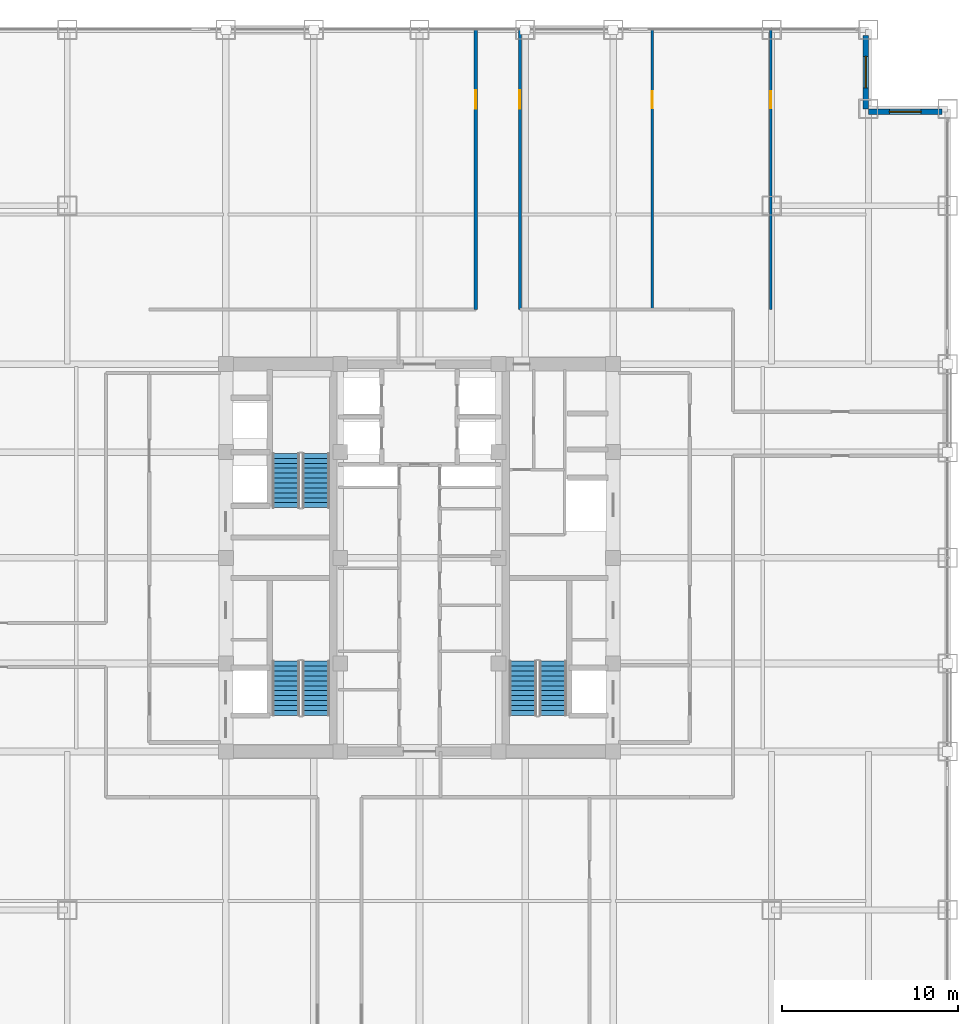
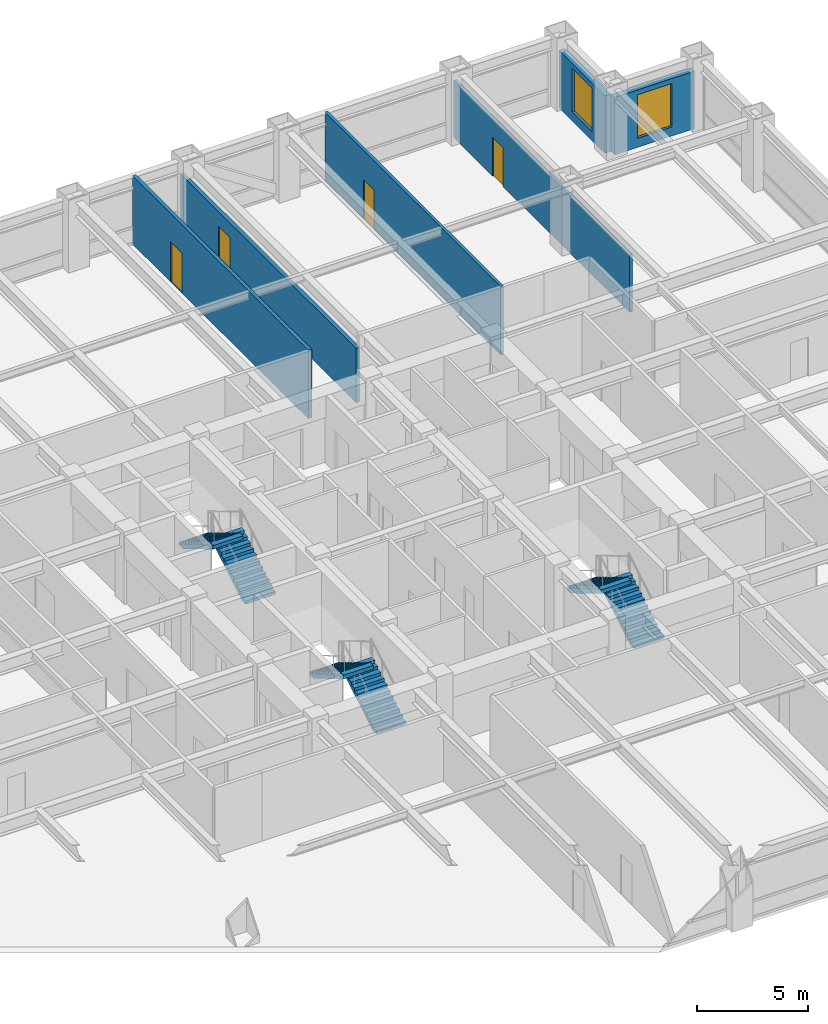
# One storey, part 23 of 24: 6 stair flights, 6 walls, 4 doors, 2 windows, 6 openings, 3 elements without a shape of their own.
"""IFC4 building model written with IfcOpenShell, lengths in metres."""

from ifc_helpers import new_model, si_unit, direction, frame, frame_2d, origin, place, context, subcontext, project, spatial, polyline, rectangle, outline, extrude, source, transform, mapped, material, layer, layer_set, type_object, element, fill, aggregate, save


model = new_model("IFC4")

# Units and contexts
model_context = context("Model", 3, precision=1e-05, world=origin(), true_north=direction((0.0, 1.0)))
body_context = subcontext(model_context, "Body", "Model", "MODEL_VIEW")
ifc_project = project(units=[si_unit("LENGTHUNIT", "METRE"), si_unit("AREAUNIT", "SQUARE_METRE"), si_unit("VOLUMEUNIT", "CUBIC_METRE"), si_unit("PLANEANGLEUNIT", "RADIAN"), si_unit("MASSUNIT", "GRAM", prefix="KILO")], contexts=[model_context])

# Site, building, storey
site_placement = place(None, origin())
site = spatial("IfcSite", under=ifc_project, at=site_placement, CompositionType="ELEMENT")
building_placement = place(site_placement, origin())
building = spatial("IfcBuilding", under=site, at=building_placement, Name="Khorayat Bourse Tower", CompositionType="ELEMENT")
storey_placement = place(building_placement, frame((0.0, 0.0, 159.10009765625)))
storey = spatial("IfcBuildingStorey", under=building, at=storey_placement, Name="L36", CompositionType="ELEMENT", Elevation=159.10009765625)

# Wall, opening, window
ifc_material_1 = material(Name="Precast concrete C45/55", Category="concrete")
ifc_layer_1 = layer(ifc_material_1, 0.320068359375)
ifc_layer_set_1 = layer_set([ifc_layer_1], Name="Precast concrete C45/55")
wall_type_1 = type_object("IfcWallType", Name="WAL-EXT-STONE-320", PredefinedType="STANDARD", material=ifc_layer_set_1)
shared_shape_1 = source(origin(), body_context, "Body", "SweptSolid", [
    extrude(rectangle(XDim=4.179931640625, YDim=0.320068359375, at=frame_2d((2.08984375, 0.0))), origin(), (0.0, 0.0, 1.0), 3.163818359375),
])
wall_1_placement = place(storey_placement, frame((25.5, 25.340087890625, 0.0), z_axis=(0.0, 0.0, 1.0), x_axis=(1.0, 0.0, 0.0)))
wall_1 = element("IfcWall", 1, at=wall_1_placement, inside=storey, type_object=wall_type_1, Name="L36 Re-Entrant Notch Limestone Wall NE-H", PredefinedType="STANDARD", context=body_context, shape_type="MappedRepresentation", body=[
    mapped(shared_shape_1, transform((0.0, 0.0, 0.0), scale=1.0)),
])
shared_shape_2 = source(origin(), body_context, "Body", "SweptSolid", [
    extrude(rectangle(XDim=1.800048828125, YDim=2.39990234375, at=frame_2d((0.89990234375, 1.199951171875))), frame((0.0, 0.169921875, 0.0), z_axis=(0.0, -1.0, 0.0), x_axis=(1.0, 0.0, 0.0)), (0.0, 0.0, 1.0), 0.340087890625),
])
opening_1_placement = place(wall_1_placement, frame((1.18994140625, 0.0, 0.5)))
opening_1 = element("IfcOpeningElement", 2, at=opening_1_placement, cuts=wall_1, Name="Opening WN-04", PredefinedType="OPENING", context=body_context, shape_type="MappedRepresentation", body=[
    mapped(shared_shape_2, transform((0.0, 0.0, 0.0), scale=1.0)),
])
ifc_material_2 = material(Name="Low-E acoustic laminated double glazing", Category="glass")
window_type = type_object("IfcWindowType", Name="WIN-NOTCH-1800x2400", PartitioningType="SINGLE_PANEL", PredefinedType="WINDOW", material=ifc_material_2)
shared_shape_3 = source(origin(), body_context, "Body", "SweptSolid", [
    extrude(rectangle(XDim=1.800048828125, YDim=2.39990234375, at=frame_2d((0.89990234375, 1.199951171875))), frame((0.0, 0.030029296875, 0.0), z_axis=(0.0, -1.0, 0.0), x_axis=(1.0, 0.0, 0.0)), (0.0, 0.0, 1.0), 0.06005859375),
])
window_1_placement = place(opening_1_placement, origin())
window_1 = element("IfcWindow", 3, at=window_1_placement, inside=storey, type_object=window_type, Name="L36 Facade Window 1", OverallHeight=2.39990234375, OverallWidth=1.800048828125, PartitioningType="SINGLE_PANEL", PredefinedType="WINDOW", context=body_context, shape_type="MappedRepresentation", body=[
    mapped(shared_shape_3, transform((0.0, 0.0, 0.0), scale=1.0)),
])
fill(opening_1, window_1)

wall_2_placement = place(storey_placement, frame((25.340087890625, 25.5, 0.0), z_axis=(0.0, 0.0, 1.0), x_axis=(0.0, 1.0, 0.0)))
wall_2 = element("IfcWall", 4, at=wall_2_placement, inside=storey, type_object=wall_type_1, Name="L36 Re-Entrant Notch Limestone Wall NE-V", PredefinedType="STANDARD", context=body_context, shape_type="MappedRepresentation", body=[
    mapped(shared_shape_1, transform((0.0, 0.0, 0.0), scale=1.0)),
])
opening_2_placement = place(wall_2_placement, frame((1.18994140625, 0.0, 0.5)))
opening_2 = element("IfcOpeningElement", 5, at=opening_2_placement, cuts=wall_2, Name="Opening WN-04", PredefinedType="OPENING", context=body_context, shape_type="MappedRepresentation", body=[
    mapped(shared_shape_2, transform((0.0, 0.0, 0.0), scale=1.0)),
])
window_2_placement = place(opening_2_placement, origin())
window_2 = element("IfcWindow", 6, at=window_2_placement, inside=storey, type_object=window_type, Name="L36 Facade Window 1", OverallHeight=2.39990234375, OverallWidth=1.800048828125, PartitioningType="SINGLE_PANEL", PredefinedType="WINDOW", context=body_context, shape_type="MappedRepresentation", body=[
    mapped(shared_shape_3, transform((0.0, 0.0, 0.0), scale=1.0)),
])
fill(opening_2, window_2)

# Wall, opening, door
ifc_material_3 = material(Name="Gypsum plasterboard acoustic stud wall")
ifc_layer_2 = layer(ifc_material_3, 0.179931640625)
ifc_layer_set_2 = layer_set([ifc_layer_2], Name="Gypsum plasterboard acoustic stud wall")
wall_type_2 = type_object("IfcWallType", Name="WAL-PART-CORR-180", PredefinedType="PARTITIONING", material=ifc_layer_set_2)
shared_shape_4 = source(origin(), body_context, "Body", "SweptSolid", [
    extrude(rectangle(XDim=15.89990234375, YDim=0.179931640625, at=frame_2d((7.949951171875, 0.0))), origin(), (0.0, 0.0, 1.0), 3.77978515625),
])
wall_3_placement = place(storey_placement, frame((3.199951171875, 14.10009765625, 0.0), z_axis=(0.0, 0.0, 1.0), x_axis=(0.0, 1.0, 0.0)))
wall_3 = element("IfcWall", 7, at=wall_3_placement, inside=storey, type_object=wall_type_2, Name="L36 Partition WAL-L36-QNW-SPK", PredefinedType="PARTITIONING", context=body_context, shape_type="MappedRepresentation", body=[
    mapped(shared_shape_4, transform((0.0, 0.0, 0.0), scale=1.0)),
])
shared_shape_5 = source(origin(), body_context, "Body", "SweptSolid", [
    extrude(rectangle(XDim=1.050048828125, YDim=2.199951171875, at=frame_2d((0.52490234375, 1.10009765625))), frame((0.0, 0.099853515625, 0.0), z_axis=(0.0, -1.0, 0.0), x_axis=(1.0, 0.0, 0.0)), (0.0, 0.0, 1.0), 0.199951171875),
])
opening_3_placement = place(wall_3_placement, frame((11.39990234375, 0.0, 0.0)))
opening_3 = element("IfcOpeningElement", 8, at=opening_3_placement, cuts=wall_3, Name="Opening DI-04", PredefinedType="OPENING", context=body_context, shape_type="MappedRepresentation", body=[
    mapped(shared_shape_5, transform((0.0, 0.0, 0.0), scale=1.0)),
])
ifc_material_4 = material(Name="Fire-rated oak veneer suite entrance door")
door_type_1 = type_object("IfcDoorType", Name="DR-INT-SUITE-1050", OperationType="NOTDEFINED", PredefinedType="DOOR", material=ifc_material_4)
shared_shape_6 = source(origin(), body_context, "Body", "SweptSolid", [
    extrude(rectangle(XDim=1.050048828125, YDim=2.199951171875, at=frame_2d((0.52490234375, 1.10009765625))), frame((0.0, 0.02490234375, 0.0), z_axis=(0.0, -1.0, 0.0), x_axis=(1.0, 0.0, 0.0)), (0.0, 0.0, 1.0), 0.050048828125),
])
door_1_placement = place(opening_3_placement, origin())
door_1 = element("IfcDoor", 9, at=door_1_placement, inside=storey, type_object=door_type_1, Name="L36 North-West Radial Spoke Entry", OperationType="SINGLE_SWING_LEFT", OverallHeight=2.199951171875, OverallWidth=1.050048828125, PredefinedType="DOOR", context=body_context, shape_type="MappedRepresentation", body=[
    mapped(shared_shape_6, transform((0.0, 0.0, 0.0), scale=1.0)),
])
fill(opening_3, door_1)

ifc_material_5 = material(Name="Gypsum plasterboard twin-frame partition")
ifc_layer_3 = layer(ifc_material_5, 0.14990234375)
ifc_layer_set_3 = layer_set([ifc_layer_3], Name="Gypsum plasterboard twin-frame partition")
wall_type_3 = type_object("IfcWallType", Name="WAL-PART-SUITE-150", PredefinedType="PARTITIONING", material=ifc_layer_set_3)
shared_shape_7 = source(origin(), body_context, "Body", "SweptSolid", [
    extrude(rectangle(XDim=15.89990234375, YDim=0.14990234375, at=frame_2d((7.949951171875, 0.0))), origin(), (0.0, 0.0, 1.0), 3.77978515625),
])
wall_4_placement = place(storey_placement, frame((13.22412109375, 14.10009765625, 0.0), z_axis=(0.0, 0.0, 1.0), x_axis=(0.0, 1.0, 0.0)))
wall_4 = element("IfcWall", 10, at=wall_4_placement, inside=storey, type_object=wall_type_3, Name="L36 Partition WAL-L36-QNEDV-1", PredefinedType="PARTITIONING", context=body_context, shape_type="MappedRepresentation", body=[
    mapped(shared_shape_7, transform((0.0, 0.0, 0.0), scale=1.0)),
])
shared_shape_8 = source(origin(), body_context, "Body", "SweptSolid", [
    extrude(rectangle(XDim=0.949951171875, YDim=2.14990234375, at=frame_2d((0.47509765625, 1.074951171875))), frame((0.0, 0.0849609375, 0.0), z_axis=(0.0, -1.0, 0.0), x_axis=(1.0, 0.0, 0.0)), (0.0, 0.0, 1.0), 0.169921875),
])
opening_4_placement = place(wall_4_placement, frame((11.449951171875, 0.0, 0.0)))
opening_4 = element("IfcOpeningElement", 11, at=opening_4_placement, cuts=wall_4, Name="Opening DI-05", PredefinedType="OPENING", context=body_context, shape_type="MappedRepresentation", body=[
    mapped(shared_shape_8, transform((0.0, 0.0, 0.0), scale=1.0)),
])
ifc_material_6 = material(Name="Acoustic oak veneer office door")
door_type_2 = type_object("IfcDoorType", Name="DR-INT-OFFICE-950", OperationType="NOTDEFINED", PredefinedType="DOOR", material=ifc_material_6)
shared_shape_9 = source(origin(), body_context, "Body", "SweptSolid", [
    extrude(rectangle(XDim=0.949951171875, YDim=2.14990234375, at=frame_2d((0.47509765625, 1.074951171875))), frame((0.0, 0.02490234375, 0.0), z_axis=(0.0, -1.0, 0.0), x_axis=(1.0, 0.0, 0.0)), (0.0, 0.0, 1.0), 0.050048828125),
])
door_2_placement = place(opening_4_placement, origin())
door_2 = element("IfcDoor", 12, at=door_2_placement, inside=storey, type_object=door_type_2, Name="L36 North-East Suite Link 1", OperationType="SINGLE_SWING_RIGHT", OverallHeight=2.14990234375, OverallWidth=0.949951171875, PredefinedType="DOOR", context=body_context, shape_type="MappedRepresentation", body=[
    mapped(shared_shape_9, transform((0.0, 0.0, 0.0), scale=1.0)),
])
fill(opening_4, door_2)

shared_shape_10 = source(origin(), body_context, "Body", "SweptSolid", [
    extrude(rectangle(XDim=15.89990234375, YDim=0.14990234375, at=frame_2d((7.949951171875, 0.0))), origin(), (0.0, 0.0, 1.0), 3.163818359375),
])
wall_5_placement = place(storey_placement, frame((19.9560546875, 14.10009765625, 0.0), z_axis=(0.0, 0.0, 1.0), x_axis=(0.0, 1.0, 0.0)))
wall_5 = element("IfcWall", 13, at=wall_5_placement, inside=storey, type_object=wall_type_3, Name="L36 Partition WAL-L36-QNEDV-2", PredefinedType="PARTITIONING", context=body_context, shape_type="MappedRepresentation", body=[
    mapped(shared_shape_10, transform((0.0, 0.0, 0.0), scale=1.0)),
])
opening_5_placement = place(wall_5_placement, frame((11.449951171875, 0.0, 0.0)))
opening_5 = element("IfcOpeningElement", 14, at=opening_5_placement, cuts=wall_5, Name="Opening DI-05", PredefinedType="OPENING", context=body_context, shape_type="MappedRepresentation", body=[
    mapped(shared_shape_8, transform((0.0, 0.0, 0.0), scale=1.0)),
])
door_3_placement = place(opening_5_placement, origin())
door_3 = element("IfcDoor", 15, at=door_3_placement, inside=storey, type_object=door_type_2, Name="L36 North-East Suite Link 2", OperationType="SINGLE_SWING_LEFT", OverallHeight=2.14990234375, OverallWidth=0.949951171875, PredefinedType="DOOR", context=body_context, shape_type="MappedRepresentation", body=[
    mapped(shared_shape_9, transform((0.0, 0.0, 0.0), scale=1.0)),
])
fill(opening_5, door_3)

shared_shape_11 = source(origin(), body_context, "Body", "SweptSolid", [
    extrude(rectangle(XDim=15.89990234375, YDim=0.179931640625, at=frame_2d((7.949951171875, 0.0))), origin(), (0.0, 0.0, 1.0), 3.0068359375),
])
wall_6_placement = place(storey_placement, frame((5.699951171875, 14.10009765625, 0.0), z_axis=(0.0, 0.0, 1.0), x_axis=(0.0, 1.0, 0.0)))
wall_6 = element("IfcWall", 16, at=wall_6_placement, inside=storey, type_object=wall_type_2, Name="L36 Partition WAL-L36-QNE-SPK", PredefinedType="PARTITIONING", context=body_context, shape_type="MappedRepresentation", body=[
    mapped(shared_shape_11, transform((0.0, 0.0, 0.0), scale=1.0)),
])
opening_6_placement = place(wall_6_placement, frame((11.39990234375, 0.0, 0.0)))
opening_6 = element("IfcOpeningElement", 17, at=opening_6_placement, cuts=wall_6, Name="Opening DI-04", PredefinedType="OPENING", context=body_context, shape_type="MappedRepresentation", body=[
    mapped(shared_shape_5, transform((0.0, 0.0, 0.0), scale=1.0)),
])
door_4_placement = place(opening_6_placement, origin())
door_4 = element("IfcDoor", 18, at=door_4_placement, inside=storey, type_object=door_type_1, Name="L36 North-East Radial Spoke Entry", OperationType="SINGLE_SWING_LEFT", OverallHeight=2.199951171875, OverallWidth=1.050048828125, PredefinedType="DOOR", context=body_context, shape_type="MappedRepresentation", body=[
    mapped(shared_shape_6, transform((0.0, 0.0, 0.0), scale=1.0)),
])
fill(opening_6, door_4)

# Stair, stair flights
ifc_material_7 = material(Name="Concrete C40/50", Category="concrete")
stair_type = type_object("IfcStairType", Name="STR-CORE-1550", PredefinedType="HALF_TURN_STAIR", material=ifc_material_7)
stair_1_placement = place(storey_placement, origin())
stair_1 = element("IfcStair", 19, at=stair_1_placement, inside=storey, type_object=stair_type, Name="L36 Exit Stair ST-1", PredefinedType="HALF_TURN_STAIR")
stair_flight_type = type_object("IfcStairFlightType", Name="FLT-CORE-1550", PredefinedType="STRAIGHT", material=ifc_material_7)
shared_shape_12 = source(origin(), body_context, "Body", "SweptSolid", [
    extrude(outline(polyline([(0.0, 0.0), (0.0, 0.166748046875), (0.280029296875, 0.166748046875), (0.280029296875, 0.333251953125), (0.56005859375, 0.333251953125), (0.56005859375, 0.5), (0.840087890625, 0.5), (0.840087890625, 0.666748046875), (1.1201171875, 0.666748046875), (1.1201171875, 0.833251953125), (1.39990234375, 0.833251953125), (1.39990234375, 1.0), (1.679931640625, 1.0), (1.679931640625, 1.166748046875), (1.9599609375, 1.166748046875), (1.9599609375, 1.333251953125), (2.239990234375, 1.333251953125), (2.239990234375, 1.5), (2.52001953125, 1.5), (2.52001953125, 1.666748046875), (2.800048828125, 1.666748046875), (2.800048828125, 1.833251953125), (3.080078125, 1.833251953125), (3.080078125, 2.0), (3.080078125, 1.6240234375), (0.351806640625, 0.0), (0.0, 0.0)])), frame((0.0, 0.77490234375, 0.0), z_axis=(0.0, -1.0, 0.0), x_axis=(1.0, 0.0, 0.0)), (0.0, 0.0, 1.0), 1.550048828125),
])
stair_flight_1_placement = place(storey_placement, frame((-5.875, -8.949951171875, 0.0), z_axis=(0.0, 0.0, 1.0), x_axis=(0.0, 1.0, 0.0)))
stair_flight_1 = element("IfcStairFlight", 20, at=stair_flight_1_placement, type_object=stair_flight_type, Name="ST-1 flight 1", NumberOfRisers=12, NumberOfTreads=11, PredefinedType="STRAIGHT", RiserHeight=0.166666667, TreadLength=0.28, context=body_context, shape_type="MappedRepresentation", body=[
    mapped(shared_shape_12, transform((0.0, 0.0, 0.0), scale=1.0)),
])
stair_flight_2_placement = place(storey_placement, frame((-7.574951171875, -5.8701171875, 2.0), z_axis=(0.0, 0.0, 1.0), x_axis=(0.0, -1.0, 0.0)))
stair_flight_2 = element("IfcStairFlight", 21, at=stair_flight_2_placement, type_object=stair_flight_type, Name="ST-1 flight 2", NumberOfRisers=12, NumberOfTreads=11, PredefinedType="STRAIGHT", RiserHeight=0.166666667, TreadLength=0.28, context=body_context, shape_type="MappedRepresentation", body=[
    mapped(shared_shape_12, transform((0.0, 0.0, 0.0), scale=1.0)),
])
aggregate(stair_1, [stair_flight_1, stair_flight_2])

stair_2_placement = place(storey_placement, origin())
stair_2 = element("IfcStair", 22, at=stair_2_placement, inside=storey, type_object=stair_type, Name="L36 Exit Stair ST-2", PredefinedType="HALF_TURN_STAIR")
stair_flight_3_placement = place(storey_placement, frame((-5.875, 2.85009765625, 0.0), z_axis=(0.0, 0.0, 1.0), x_axis=(0.0, 1.0, 0.0)))
stair_flight_3 = element("IfcStairFlight", 23, at=stair_flight_3_placement, type_object=stair_flight_type, Name="ST-2 flight 1", NumberOfRisers=12, NumberOfTreads=11, PredefinedType="STRAIGHT", RiserHeight=0.166666667, TreadLength=0.28, context=body_context, shape_type="MappedRepresentation", body=[
    mapped(shared_shape_12, transform((0.0, 0.0, 0.0), scale=1.0)),
])
stair_flight_4_placement = place(storey_placement, frame((-7.574951171875, 5.929931640625, 2.0), z_axis=(0.0, 0.0, 1.0), x_axis=(0.0, -1.0, 0.0)))
stair_flight_4 = element("IfcStairFlight", 24, at=stair_flight_4_placement, type_object=stair_flight_type, Name="ST-2 flight 2", NumberOfRisers=12, NumberOfTreads=11, PredefinedType="STRAIGHT", RiserHeight=0.166666667, TreadLength=0.28, context=body_context, shape_type="MappedRepresentation", body=[
    mapped(shared_shape_12, transform((0.0, 0.0, 0.0), scale=1.0)),
])
aggregate(stair_2, [stair_flight_3, stair_flight_4])

stair_3_placement = place(storey_placement, origin())
stair_3 = element("IfcStair", 25, at=stair_3_placement, inside=storey, type_object=stair_type, Name="L36 Exit Stair ST-3", PredefinedType="HALF_TURN_STAIR")
stair_flight_5_placement = place(storey_placement, frame((7.574951171875, -8.949951171875, 0.0), z_axis=(0.0, 0.0, 1.0), x_axis=(0.0, 1.0, 0.0)))
stair_flight_5 = element("IfcStairFlight", 26, at=stair_flight_5_placement, type_object=stair_flight_type, Name="ST-3 flight 1", NumberOfRisers=12, NumberOfTreads=11, PredefinedType="STRAIGHT", RiserHeight=0.166666667, TreadLength=0.28, context=body_context, shape_type="MappedRepresentation", body=[
    mapped(shared_shape_12, transform((0.0, 0.0, 0.0), scale=1.0)),
])
stair_flight_6_placement = place(storey_placement, frame((5.875, -5.8701171875, 2.0), z_axis=(0.0, 0.0, 1.0), x_axis=(0.0, -1.0, 0.0)))
stair_flight_6 = element("IfcStairFlight", 27, at=stair_flight_6_placement, type_object=stair_flight_type, Name="ST-3 flight 2", NumberOfRisers=12, NumberOfTreads=11, PredefinedType="STRAIGHT", RiserHeight=0.166666667, TreadLength=0.28, context=body_context, shape_type="MappedRepresentation", body=[
    mapped(shared_shape_12, transform((0.0, 0.0, 0.0), scale=1.0)),
])
aggregate(stair_3, [stair_flight_5, stair_flight_6])

save(model, "model.ifc")
